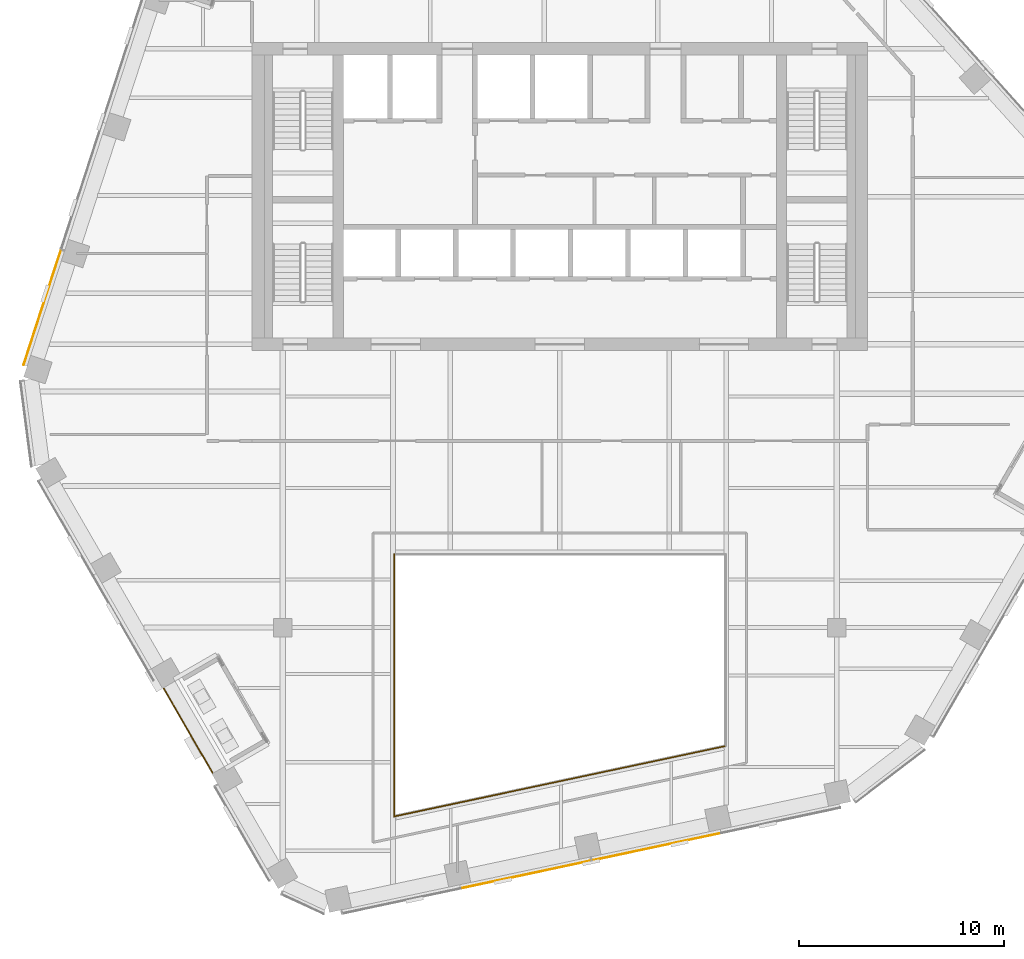
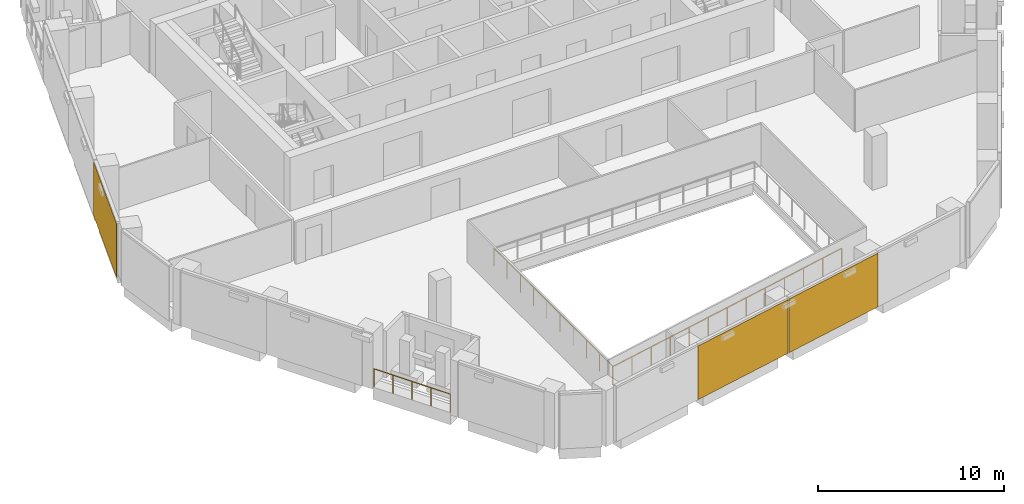
# One storey, part 20 of 25: 3 coverings, 3 railings, 2 elements without a shape of their own.
"""IFC4 building model written with IfcOpenShell, lengths in metres."""

from ifc_helpers import new_model, si_unit, direction, frame, origin, origin_2d, place, context, subcontext, project, spatial, rectangle, circle, extrude, material, layer, layer_set, type_object, element, aggregate, save


model = new_model("IFC4")

# Units and contexts
model_context = context("Model", 3, precision=1e-05, world=origin(), true_north=direction((0.0, 1.0)))
body_context = subcontext(model_context, "Body", "Model", "MODEL_VIEW")
ifc_project = project(units=[si_unit("LENGTHUNIT", "METRE"), si_unit("AREAUNIT", "SQUARE_METRE"), si_unit("VOLUMEUNIT", "CUBIC_METRE"), si_unit("PLANEANGLEUNIT", "RADIAN"), si_unit("MASSUNIT", "GRAM", prefix="KILO")], contexts=[model_context])

# Site, building, storey
site_placement = place(None, origin())
site = spatial("IfcSite", under=ifc_project, at=site_placement, CompositionType="ELEMENT")
building_placement = place(site_placement, origin())
building = spatial("IfcBuilding", under=site, at=building_placement, Name="Isthmus Gate Tower", CompositionType="ELEMENT")
storey_placement = place(building_placement, frame((0.0, 0.0, 249.14990234375)))
storey = spatial("IfcBuildingStorey", under=building, at=storey_placement, Name="L63", CompositionType="ELEMENT", Elevation=249.14990234375)

# Railings
ifc_material_1 = material(Name="Laminated toughened glass balustrade with steel rail", Category="steel")
railing_type_1 = type_object("IfcRailingType", Name="ATRIUM GUARD GLASS BALUSTRADE 1200", PredefinedType="GUARDRAIL", material=ifc_material_1)
railing_1_placement = place(storey_placement, frame((-8.080078125, -22.7099609375, 0.0)))
element("IfcRailing", 1, at=railing_1_placement, inside=storey, type_object=railing_type_1, Name="L63 atrium guard", PredefinedType="GUARDRAIL", context=body_context, shape_type="SweptSolid", body=[
    extrude(circle(Radius=0.02490234375, at=origin_2d()), frame((0.0, 0.0, 1.1748046875), z_axis=(0.0, 1.0, 0.0), x_axis=(-1.0, 0.0, 0.0)), (0.0, 0.0, 1.0), 12.7900390625),
    extrude(circle(Radius=0.02490234375, at=origin_2d()), origin(), (0.0, 0.0, 1.0), 1.14990234375),
    extrude(circle(Radius=0.02490234375, at=origin_2d()), frame((0.0, 1.421142578125, 0.0)), (0.0, 0.0, 1.0), 1.14990234375),
    extrude(circle(Radius=0.02490234375, at=origin_2d()), frame((0.0, 2.84228515625, 0.0)), (0.0, 0.0, 1.0), 1.14990234375),
    extrude(circle(Radius=0.02490234375, at=origin_2d()), frame((0.0, 4.263427734375, 0.0)), (0.0, 0.0, 1.0), 1.14990234375),
    extrude(circle(Radius=0.02490234375, at=origin_2d()), frame((0.0, 5.6845703125, 0.0)), (0.0, 0.0, 1.0), 1.14990234375),
    extrude(circle(Radius=0.02490234375, at=origin_2d()), frame((0.0, 7.10546875, 0.0)), (0.0, 0.0, 1.0), 1.14990234375),
    extrude(circle(Radius=0.02490234375, at=origin_2d()), frame((0.0, 8.526611328125, 0.0)), (0.0, 0.0, 1.0), 1.14990234375),
    extrude(circle(Radius=0.02490234375, at=origin_2d()), frame((0.0, 9.94775390625, 0.0)), (0.0, 0.0, 1.0), 1.14990234375),
    extrude(circle(Radius=0.02490234375, at=origin_2d()), frame((0.0, 11.368896484375, 0.0)), (0.0, 0.0, 1.0), 1.14990234375),
    extrude(circle(Radius=0.02490234375, at=origin_2d()), frame((0.0, 12.7900390625, 0.0)), (0.0, 0.0, 1.0), 1.14990234375),
])
railing_2_placement = place(storey_placement, frame((8.080078125, -19.27490234375, 0.0)))
element("IfcRailing", 2, at=railing_2_placement, inside=storey, type_object=railing_type_1, Name="L63 atrium guard", PredefinedType="GUARDRAIL", context=body_context, shape_type="SweptSolid", body=[
    extrude(circle(Radius=0.02490234375, at=origin_2d()), frame((0.0, 0.0, 1.1748046875), z_axis=(-0.978146230105, -0.207918139013, 0.0), x_axis=(0.207918139013, -0.978146230105, 0.0)), (0.0, 0.0, 1.0), 16.521240234375),
    extrude(circle(Radius=0.02490234375, at=origin_2d()), origin(), (0.0, 0.0, 1.0), 1.14990234375),
    extrude(circle(Radius=0.02490234375, at=origin_2d()), frame((-1.3466796875, -0.2861328125, 0.0)), (0.0, 0.0, 1.0), 1.14990234375),
    extrude(circle(Radius=0.02490234375, at=origin_2d()), frame((-2.693359375, -0.572509765625, 0.0)), (0.0, 0.0, 1.0), 1.14990234375),
    extrude(circle(Radius=0.02490234375, at=origin_2d()), frame((-4.0400390625, -0.85888671875, 0.0)), (0.0, 0.0, 1.0), 1.14990234375),
    extrude(circle(Radius=0.02490234375, at=origin_2d()), frame((-5.38671875, -1.14501953125, 0.0)), (0.0, 0.0, 1.0), 1.14990234375),
    extrude(circle(Radius=0.02490234375, at=origin_2d()), frame((-6.7333984375, -1.43115234375, 0.0)), (0.0, 0.0, 1.0), 1.14990234375),
    extrude(circle(Radius=0.02490234375, at=origin_2d()), frame((-8.080078125, -1.717529296875, 0.0)), (0.0, 0.0, 1.0), 1.14990234375),
    extrude(circle(Radius=0.02490234375, at=origin_2d()), frame((-9.4267578125, -2.00390625, 0.0)), (0.0, 0.0, 1.0), 1.14990234375),
    extrude(circle(Radius=0.02490234375, at=origin_2d()), frame((-10.7734375, -2.2900390625, 0.0)), (0.0, 0.0, 1.0), 1.14990234375),
    extrude(circle(Radius=0.02490234375, at=origin_2d()), frame((-12.1201171875, -2.576171875, 0.0)), (0.0, 0.0, 1.0), 1.14990234375),
    extrude(circle(Radius=0.02490234375, at=origin_2d()), frame((-13.466796875, -2.862548828125, 0.0)), (0.0, 0.0, 1.0), 1.14990234375),
    extrude(circle(Radius=0.02490234375, at=origin_2d()), frame((-14.8134765625, -3.14892578125, 0.0)), (0.0, 0.0, 1.0), 1.14990234375),
    extrude(circle(Radius=0.02490234375, at=origin_2d()), frame((-16.16015625, -3.43505859375, 0.0)), (0.0, 0.0, 1.0), 1.14990234375),
])

# Curtain wall, covering
ifc_material_2 = material(Name="Aluminium, pale champagne anodised", Category="aluminium")
ifc_layer_1 = layer(ifc_material_2, 0.199951171875)
ifc_layer_set_1 = layer_set([ifc_layer_1], Name="CW-1 UNITISED CURTAIN WALL 200 DEEP")
curtain_wall_type = type_object("IfcCurtainWallType", Name="CW-1 UNITISED CURTAIN WALL 200 DEEP", PredefinedType="NOTDEFINED", material=ifc_layer_set_1)
curtain_wall_1_placement = place(storey_placement, origin())
curtain_wall_1 = element("IfcCurtainWall", 3, at=curtain_wall_1_placement, inside=storey, type_object=curtain_wall_type, Name="CW-1 NW L63", PredefinedType="NOTDEFINED")
ifc_material_3 = material(Name="Aluminium composite panel, pale champagne anodised", Category="aluminium")
ifc_layer_2 = layer(ifc_material_3, 0.031982421875)
ifc_layer_set_2 = layer_set([ifc_layer_2], Name="CW-1 PALE METAL PANEL 32")
covering_type = type_object("IfcCoveringType", Name="CW-1 PALE METAL PANEL 32", PredefinedType="CLADDING", material=ifc_layer_set_2)
covering_1_placement = place(storey_placement, frame((-25.224853515625, 2.09521484375, 0.0), z_axis=(0.0, 0.0, 1.0), x_axis=(-0.309016994375, -0.951056516295, 0.0)))
covering_1 = element("IfcCovering", 4, at=covering_1_placement, type_object=covering_type, Name="CW-1 pale metal panel", PredefinedType="CLADDING", context=body_context, shape_type="SweptSolid", body=[
    extrude(rectangle(XDim=5.8818359375, YDim=0.031982421875, at=origin_2d()), origin(), (0.0, 0.0, 1.0), 3.52001953125),
])
aggregate(curtain_wall_1, [covering_1])

# Curtain wall, coverings
curtain_wall_2_placement = place(storey_placement, origin())
curtain_wall_2 = element("IfcCurtainWall", 5, at=curtain_wall_2_placement, inside=storey, type_object=curtain_wall_type, Name="CW-1 S L63", PredefinedType="NOTDEFINED")
covering_2_placement = place(storey_placement, frame((-1.66259765625, -25.54150390625, 0.0), z_axis=(0.0, 0.0, 1.0), x_axis=(0.978147600734, 0.207911690818, 0.0)))
covering_2 = element("IfcCovering", 6, at=covering_2_placement, type_object=covering_type, Name="CW-1 pale metal panel", PredefinedType="CLADDING", context=body_context, shape_type="SweptSolid", body=[
    extrude(rectangle(XDim=6.491943359375, YDim=0.031982421875, at=origin_2d()), origin(), (0.0, 0.0, 1.0), 3.52001953125),
])
covering_3_placement = place(storey_placement, frame((4.716796875, -24.185546875, 0.0), z_axis=(0.0, 0.0, 1.0), x_axis=(0.978147600734, 0.207911690818, 0.0)))
covering_3 = element("IfcCovering", 7, at=covering_3_placement, type_object=covering_type, Name="CW-1 pale metal panel", PredefinedType="CLADDING", context=body_context, shape_type="SweptSolid", body=[
    extrude(rectangle(XDim=6.431884765625, YDim=0.031982421875, at=origin_2d()), origin(), (0.0, 0.0, 1.0), 3.52001953125),
])
aggregate(curtain_wall_2, [covering_2, covering_3])

# Railing
ifc_material_4 = material(Name="Toughened laminated glass with stainless steel posts", Category="steel")
railing_type_2 = type_object("IfcRailingType", Name="GUARD 1200 FRAMELESS GLASS", PredefinedType="GUARDRAIL", material=ifc_material_4)
railing_3_placement = place(storey_placement, frame((-19.29736328125, -16.47607421875, 0.0)))
element("IfcRailing", 8, at=railing_3_placement, inside=storey, type_object=railing_type_2, Name="LOGGIA GUARD", PredefinedType="GUARDRAIL", context=body_context, shape_type="SweptSolid", body=[
    extrude(circle(Radius=0.02490234375, at=origin_2d()), frame((0.0, 0.0, 1.1748046875), z_axis=(0.500018777012, -0.8660145626, 0.0), x_axis=(0.8660145626, 0.500018777012, 0.0)), (0.0, 0.0, 1.0), 4.730712890625),
    extrude(circle(Radius=0.02490234375, at=origin_2d()), origin(), (0.0, 0.0, 1.0), 1.14990234375),
    extrude(circle(Radius=0.02490234375, at=origin_2d()), frame((0.59130859375, -1.024169921875, 0.0)), (0.0, 0.0, 1.0), 1.14990234375),
    extrude(circle(Radius=0.02490234375, at=origin_2d()), frame((1.1826171875, -2.04833984375, 0.0)), (0.0, 0.0, 1.0), 1.14990234375),
    extrude(circle(Radius=0.02490234375, at=origin_2d()), frame((1.774169921875, -3.07275390625, 0.0)), (0.0, 0.0, 1.0), 1.14990234375),
    extrude(circle(Radius=0.02490234375, at=origin_2d()), frame((2.365478515625, -4.096923828125, 0.0)), (0.0, 0.0, 1.0), 1.14990234375),
])

save(model, "model.ifc")
